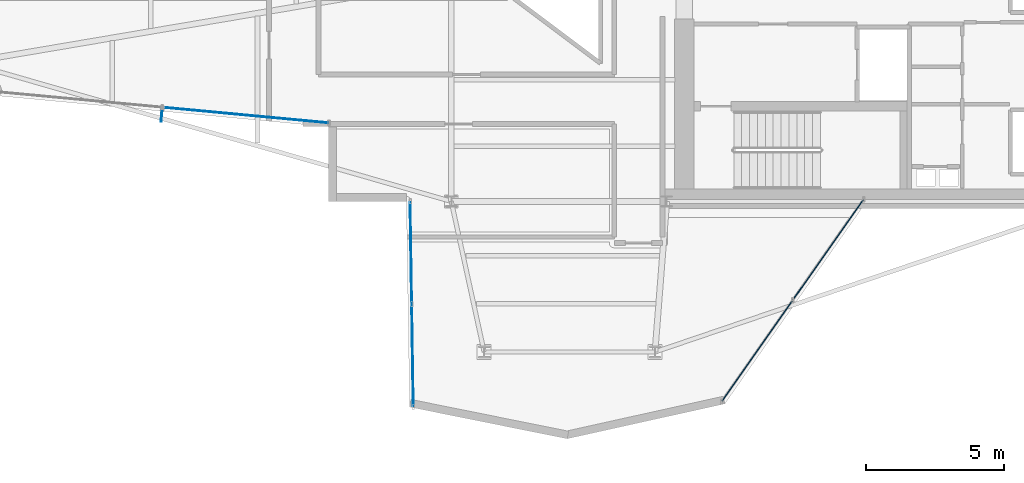
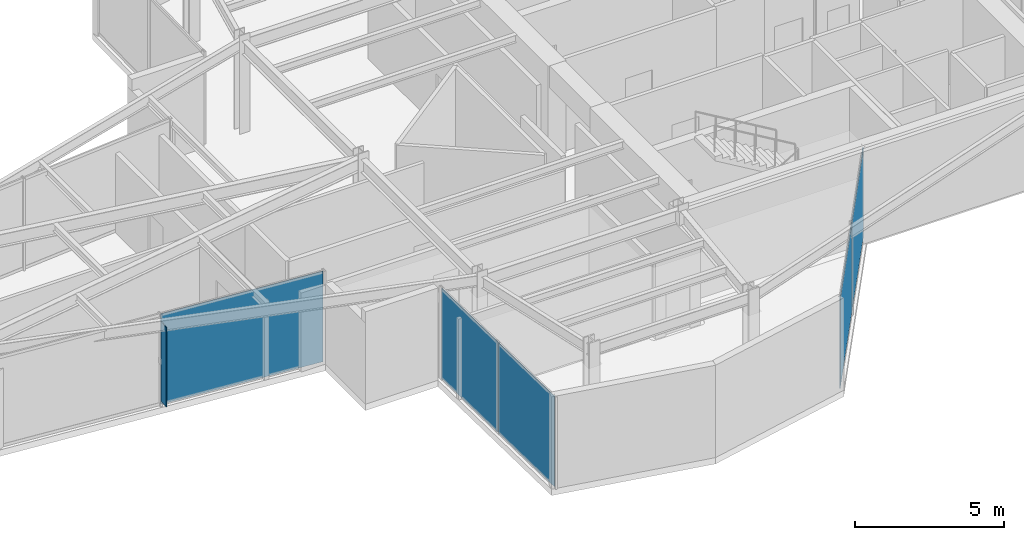
# One storey, part 18 of 24: 6 plates, 3 elements without a shape of their own.
"""IFC4 building model written with IfcOpenShell, lengths in metres."""

import ifcopenshell
import ifcopenshell.guid

model = None  # the IFC model being written
_history = None  # IfcOwnerHistory: only IFC2X3 demands one
_inside = {}  # id of a spatial element -> (the spatial element, [elements in it])
_under = {}  # id of a project, library or spatial element -> (it, [spatial elements below it])
_declared = {}  # id of a project -> (the project, [libraries it declares])
_typed = {}  # id of a type object -> (the type object, [elements of that type])
_made_of = {}  # id of a material, layer set ... -> (it, [elements and type objects made of it])


def new_model(schema):
    """Start an empty IFC model of exactly this schema.

    Asked for "IFC4X3", IfcOpenShell would pick the latest addendum, in which some entities
    have other attributes; the version numbers below select the first issue.
    IFC2X3 requires an IfcOwnerHistory on every rooted entity: one is made here for all.
    """
    global model, _history
    if schema == "IFC4X3":
        model = ifcopenshell.file(schema_version=(4, 3, 0, 0))
    else:
        model = ifcopenshell.file(schema=schema)
    _inside.clear()
    _under.clear()
    _declared.clear()
    _typed.clear()
    _made_of.clear()
    _history = None
    if model.schema == "IFC2X3":
        org = make("IfcOrganization", Name="unknown")
        user = make(
            "IfcPersonAndOrganization",
            ThePerson=make("IfcPerson", FamilyName="unknown"),
            TheOrganization=org,
        )
        app = make(
            "IfcApplication",
            ApplicationDeveloper=org,
            Version="unknown",
            ApplicationFullName="unknown",
            ApplicationIdentifier="unknown",
        )
        _history = make(
            "IfcOwnerHistory",
            OwningUser=user,
            OwningApplication=app,
            ChangeAction="ADDED",
            CreationDate=0,
        )
    return model


def make(cls, **values):
    """One entity of the class cls with the attributes given. An attribute that is None is left unset."""
    return model.create_entity(
        cls, **{name: value for name, value in values.items() if value is not None}
    )


def rooted(cls, **values):
    """An entity with a GlobalId (a new one), such as an element, a storey or a relation."""
    return make(cls, GlobalId=ifcopenshell.guid.new(), OwnerHistory=_history, **values)


def si_unit(unit_type, name, prefix=None):
    """IfcSIUnit, for example si_unit("LENGTHUNIT", "METRE", prefix="MILLI")."""
    return make("IfcSIUnit", UnitType=unit_type, Prefix=prefix, Name=name)


def assignment(units):
    """IfcUnitAssignment: the units of a project."""
    return None if units is None else make("IfcUnitAssignment", Units=units)


def point(xyz):
    """IfcCartesianPoint."""
    return None if xyz is None else make("IfcCartesianPoint", Coordinates=xyz)


def direction(xyz):
    """IfcDirection."""
    return None if xyz is None else make("IfcDirection", DirectionRatios=xyz)


def frame(location, z_axis=None, x_axis=None):
    """IfcAxis2Placement3D, a coordinate frame: its origin and axes. An axis left out is left unset."""
    return make(
        "IfcAxis2Placement3D",
        Location=point(location),
        Axis=direction(z_axis),
        RefDirection=direction(x_axis),
    )


def frame_2d(location, x_axis=None):
    """IfcAxis2Placement2D, a coordinate frame in the plane: its origin and x axis."""
    return make(
        "IfcAxis2Placement2D", Location=point(location), RefDirection=direction(x_axis)
    )


def origin():
    """The frame at (0, 0, 0) with its axes left unset."""
    return frame((0.0, 0.0, 0.0))


def origin_2d():
    """The frame at (0, 0) in the plane with its x axis left unset."""
    return frame_2d((0.0, 0.0))


def place(relative_to, where):
    """IfcLocalPlacement: puts the frame where relative to a parent placement (None: the world)."""
    return make(
        "IfcLocalPlacement", PlacementRelTo=relative_to, RelativePlacement=where
    )


def context(
    kind, dimensions, precision=None, world=None, true_north=None, identifier=None
):
    """IfcGeometricRepresentationContext, for example the 3D "Model" context."""
    return make(
        "IfcGeometricRepresentationContext",
        ContextIdentifier=identifier,
        ContextType=kind,
        CoordinateSpaceDimension=dimensions,
        Precision=precision,
        WorldCoordinateSystem=world,
        TrueNorth=true_north,
    )


def subcontext(parent, identifier, kind, view, scale=None):
    """IfcGeometricRepresentationSubContext, for example "Body" below "Model"."""
    return make(
        "IfcGeometricRepresentationSubContext",
        ContextIdentifier=identifier,
        ContextType=kind,
        ParentContext=parent,
        TargetScale=scale,
        TargetView=view,
    )


def project(units=None, contexts=None):
    """IfcProject with its units and contexts."""
    return rooted(
        "IfcProject",
        Name="project",
        RepresentationContexts=contexts,
        UnitsInContext=assignment(units),
    )


def spatial(cls, under=None, at=None, **own):
    """A site, building, storey or space (cls), placed at a placement, below another one or the project."""
    s = rooted(cls, ObjectPlacement=at, **own)
    if under is not None:
        _under.setdefault(under.id(), (under, []))[1].append(s)
    return s


def profile(cls, at=None, kind="AREA", **sizes):
    """A parametric profile (cls). Its sizes go by their IFC names, for example OverallWidth=200.0."""
    return make(cls, ProfileType=kind, Position=at, **sizes)


def rectangle(**sizes):
    """IfcRectangleProfileDef."""
    return profile("IfcRectangleProfileDef", **sizes)


def extrude(swept, where, along, depth):
    """IfcExtrudedAreaSolid: the profile swept, set in the frame where, extruded along a direction by depth."""
    return make(
        "IfcExtrudedAreaSolid",
        SweptArea=swept,
        Position=where,
        ExtrudedDirection=direction(along),
        Depth=depth,
    )


def shape(context_of_items, identifier, shape_type, items):
    """IfcShapeRepresentation: the items that make up one representation, for example the "Body"."""
    return make(
        "IfcShapeRepresentation",
        ContextOfItems=context_of_items,
        RepresentationIdentifier=identifier,
        RepresentationType=shape_type,
        Items=items,
    )


def material(Name=None, Category=None):
    """IfcMaterial."""
    return make("IfcMaterial", Name=Name, Category=Category)


def layer(
    of_material, thickness, ventilated=None, Name=None, Category=None, Priority=None
):
    """IfcMaterialLayer: one layer of a wall or slab, of a material (None: an air gap)."""
    return make(
        "IfcMaterialLayer",
        Material=of_material,
        LayerThickness=thickness,
        IsVentilated=ventilated,
        Name=Name,
        Category=Category,
        Priority=Priority,
    )


def layer_set(layers, Name=None):
    """IfcMaterialLayerSet."""
    return make("IfcMaterialLayerSet", MaterialLayers=layers, LayerSetName=Name)


def made_of(thing, what):
    """Note that an element or type object is made of a material, layer set ...; save() writes the relation."""
    if what is not None:
        _made_of.setdefault(what.id(), (what, []))[1].append(thing)
    return thing


def type_object(cls, material=None, **own):
    """A type object (cls), such as IfcWallType, which elements share."""
    return made_of(rooted(cls, **own), material)


def element(
    cls,
    number,
    at=None,
    inside=None,
    cuts=None,
    type_object=None,
    material=None,
    context=None,
    identifier="Body",
    shape_type=None,
    held_by="IfcProductDefinitionShape",
    body=None,
    shapes=None,
    **own,
):
    """One element of the class cls, such as IfcWall. Its Tag is "e" and its number.

    at: its placement. inside: the storey or other place that contains it. cuts: it is an
    opening in that element (IfcRelVoidsElement). A single representation is given by context,
    identifier, shape_type and body (its items); several are given by shapes. held_by: the class
    of the entity that holds the representations. save() writes the other relations.
    """
    e = rooted(cls, Tag="e%d" % number, ObjectPlacement=at, **own)
    if body is not None:
        shapes = [shape(context, identifier, shape_type, body)]
    if shapes is not None:
        e.Representation = make(held_by, Representations=shapes)
    if inside is not None:
        _inside.setdefault(inside.id(), (inside, []))[1].append(e)
    if cuts is not None:
        rooted(
            "IfcRelVoidsElement", RelatingBuildingElement=cuts, RelatedOpeningElement=e
        )
    if type_object is not None:
        _typed.setdefault(type_object.id(), (type_object, []))[1].append(e)
    return made_of(e, material)


def aggregate(whole, parts):
    """IfcRelAggregates: a whole, such as a stair, and the parts it consists of."""
    return rooted("IfcRelAggregates", RelatingObject=whole, RelatedObjects=parts)


def save(model, path):
    """Write the relations noted so far, then the file.

    IfcRelAggregates (storeys below a building ...), IfcRelContainedInSpatialStructure (elements
    in a storey), IfcRelDefinesByType, IfcRelAssociatesMaterial and IfcRelDeclares: one each for
    every whole, place, type object, material and project.
    """
    for whole, parts in _under.values():
        aggregate(whole, parts)
    for where, things in _inside.values():
        rooted(
            "IfcRelContainedInSpatialStructure",
            RelatedElements=things,
            RelatingStructure=where,
        )
    for kind, things in _typed.values():
        rooted("IfcRelDefinesByType", RelatedObjects=things, RelatingType=kind)
    for what, things in _made_of.values():
        rooted("IfcRelAssociatesMaterial", RelatedObjects=things, RelatingMaterial=what)
    for by, libraries in _declared.values():
        rooted("IfcRelDeclares", RelatingContext=by, RelatedDefinitions=libraries)
    model.write(path)


model = new_model("IFC4")

# Units and contexts
model_context = context("Model", 3, precision=1e-05, world=origin(), true_north=direction((0.0, 1.0)))
body_context = subcontext(model_context, "Body", "Model", "MODEL_VIEW")
ifc_project = project(units=[si_unit("LENGTHUNIT", "METRE"), si_unit("AREAUNIT", "SQUARE_METRE"), si_unit("VOLUMEUNIT", "CUBIC_METRE"), si_unit("PLANEANGLEUNIT", "RADIAN"), si_unit("MASSUNIT", "GRAM", prefix="KILO")], contexts=[model_context])

# Site, building, storey
site_placement = place(None, origin())
site = spatial("IfcSite", under=ifc_project, at=site_placement, CompositionType="ELEMENT")
building_placement = place(site_placement, origin())
building = spatial("IfcBuilding", under=site, at=building_placement, Name="Veymaron Broadcast Tower", CompositionType="ELEMENT")
storey_placement = place(building_placement, frame((0.0, 0.0, 220.199951171875)))
storey = spatial("IfcBuildingStorey", under=building, at=storey_placement, Name="L51", CompositionType="ELEMENT", Elevation=220.199951171875)

# Curtain wall, plate
ifc_material_1 = material(Name="Anodised aluminium AA 6063-T6 and laminated low-E dark glass", Category="aluminium")
ifc_layer_1 = layer(ifc_material_1, 0.179931640625)
ifc_layer_set_1 = layer_set([ifc_layer_1], Name="Anodised aluminium AA 6063-T6 and laminated low-E dark glass")
curtain_wall_type = type_object("IfcCurtainWallType", Name="CW-SYS-05", PredefinedType="NOTDEFINED", material=ifc_layer_set_1)
curtain_wall_1_placement = place(storey_placement, origin())
curtain_wall_1 = element("IfcCurtainWall", 1, at=curtain_wall_1_placement, inside=storey, type_object=curtain_wall_type, Name="L51 dark-glass curtain wall CW-L51-E14-1", PredefinedType="NOTDEFINED")
ifc_material_2 = material(Name="Double-silver solar-control dark glass IGU 32 mm", Category="glass")
ifc_layer_2 = layer(ifc_material_2, 0.031982421875)
ifc_layer_set_2 = layer_set([ifc_layer_2], Name="Double-silver solar-control dark glass IGU 32 mm")
plate_type_1 = type_object("IfcPlateType", Name="CW-PNL-02", PredefinedType="CURTAIN_PANEL", material=ifc_layer_set_2)
plate_1_placement = place(storey_placement, frame((23.758056640625, 19.121337890625, 0.0400390625), z_axis=(0.0, 0.0, 1.0), x_axis=(0.995642083019, -0.093256863132, 0.0)))
plate_1 = element("IfcPlate", 2, at=plate_1_placement, type_object=plate_type_1, Name="CW-L51-E14-1 unitised curtain panel 1", PredefinedType="CURTAIN_PANEL", context=body_context, shape_type="SweptSolid", body=[
    extrude(rectangle(XDim=5.996337890625, YDim=0.031982421875, at=origin_2d()), origin(), (0.0, 0.0, 1.0), 3.7099609375),
])
aggregate(curtain_wall_1, [plate_1])

# Curtain wall, plates
curtain_wall_2_placement = place(storey_placement, origin())
curtain_wall_2 = element("IfcCurtainWall", 3, at=curtain_wall_2_placement, inside=storey, type_object=curtain_wall_type, Name="L51 dark-glass curtain wall CW-L51-E17-1", PredefinedType="NOTDEFINED")
plate_2_placement = place(storey_placement, frame((29.7412109375, 14.140869140625, 0.0400390625), z_axis=(0.0, 0.0, 1.0), x_axis=(0.015480452098, -0.999880170622, 0.0)))
plate_2 = element("IfcPlate", 4, at=plate_2_placement, type_object=plate_type_1, Name="CW-L51-E17-1 unitised curtain panel 0", PredefinedType="CURTAIN_PANEL", context=body_context, shape_type="SweptSolid", body=[
    extrude(rectangle(XDim=3.662841796875, YDim=0.031982421875, at=origin_2d()), origin(), (0.0, 0.0, 1.0), 3.7099609375),
])
plate_3_placement = place(storey_placement, frame((29.798828125, 10.41845703125, 0.0400390625), z_axis=(0.0, 0.0, 1.0), x_axis=(0.015480452098, -0.999880170622, 0.0)))
plate_3 = element("IfcPlate", 5, at=plate_3_placement, type_object=plate_type_1, Name="CW-L51-E17-1 unitised curtain panel 1", PredefinedType="CURTAIN_PANEL", context=body_context, shape_type="SweptSolid", body=[
    extrude(rectangle(XDim=3.662841796875, YDim=0.031982421875, at=origin_2d()), origin(), (0.0, 0.0, 1.0), 3.7099609375),
])
aggregate(curtain_wall_2, [plate_2, plate_3])

curtain_wall_3_placement = place(storey_placement, origin())
curtain_wall_3 = element("IfcCurtainWall", 6, at=curtain_wall_3_placement, inside=storey, type_object=curtain_wall_type, Name="L51 dark-glass curtain wall CW-L51-E20-1", PredefinedType="NOTDEFINED")
plate_4_placement = place(storey_placement, frame((42.27197265625, 10.582763671875, 0.0400390625), z_axis=(0.0, 0.0, 1.0), x_axis=(0.573905218834, 0.818921729957, 0.0)))
plate_4 = element("IfcPlate", 7, at=plate_4_placement, type_object=plate_type_1, Name="CW-L51-E20-1 unitised curtain panel 0", PredefinedType="CURTAIN_PANEL", context=body_context, shape_type="SweptSolid", body=[
    extrude(rectangle(XDim=4.415283203125, YDim=0.031982421875, at=origin_2d()), origin(), (0.0, 0.0, 1.0), 3.7099609375),
])
plate_5_placement = place(storey_placement, frame((44.84033203125, 14.247802734375, 0.0400390625), z_axis=(0.0, 0.0, 1.0), x_axis=(0.573905218834, 0.818921729957, 0.0)))
plate_5 = element("IfcPlate", 8, at=plate_5_placement, type_object=plate_type_1, Name="CW-L51-E20-1 unitised curtain panel 1", PredefinedType="CURTAIN_PANEL", context=body_context, shape_type="SweptSolid", body=[
    extrude(rectangle(XDim=4.415283203125, YDim=0.031982421875, at=origin_2d()), origin(), (0.0, 0.0, 1.0), 3.7099609375),
])
aggregate(curtain_wall_3, [plate_4, plate_5])

# Plate
ifc_material_3 = material(Name="Dark-anodised aluminium AA 6061-T6", Category="aluminium")
ifc_layer_3 = layer(ifc_material_3, 0.031982421875)
ifc_layer_set_3 = layer_set([ifc_layer_3], Name="Dark-anodised aluminium AA 6061-T6")
plate_type_2 = type_object("IfcPlateType", Name="FIN-CHEV-03", PredefinedType="USERDEFINED", material=ifc_layer_set_3)
plate_6_placement = place(storey_placement, frame((20.71240234375, 19.0751953125, 0.26513671875), z_axis=(0.0, 0.0, 1.0), x_axis=(-0.093256863132, -0.995642083019, 0.0)))
element("IfcPlate", 9, at=plate_6_placement, inside=storey, type_object=plate_type_2, Name="CW-L51-E14-1 chevron fin 1", ObjectType="FIN", PredefinedType="USERDEFINED", context=body_context, shape_type="SweptSolid", body=[
    extrude(rectangle(XDim=0.39990234375, YDim=0.034912109375, at=origin_2d()), origin(), (0.0, 0.0, 1.0), 3.259521484375),
])

save(model, "model.ifc")
